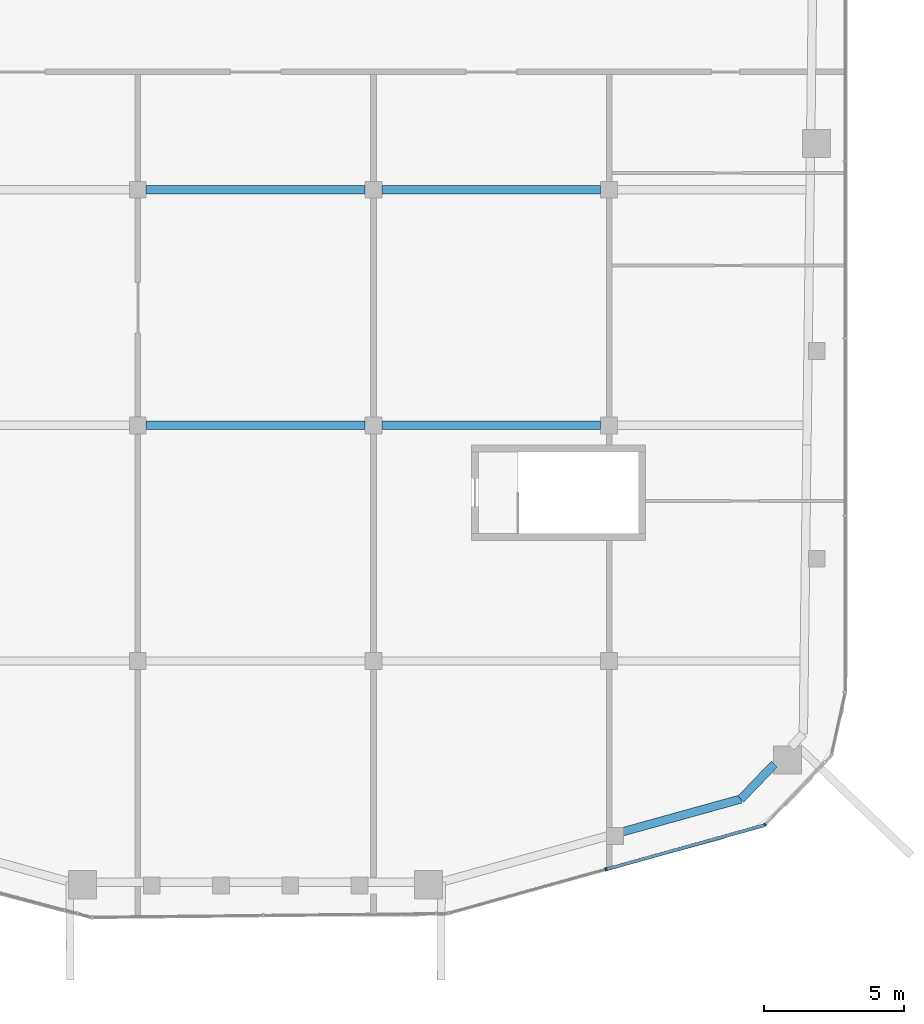
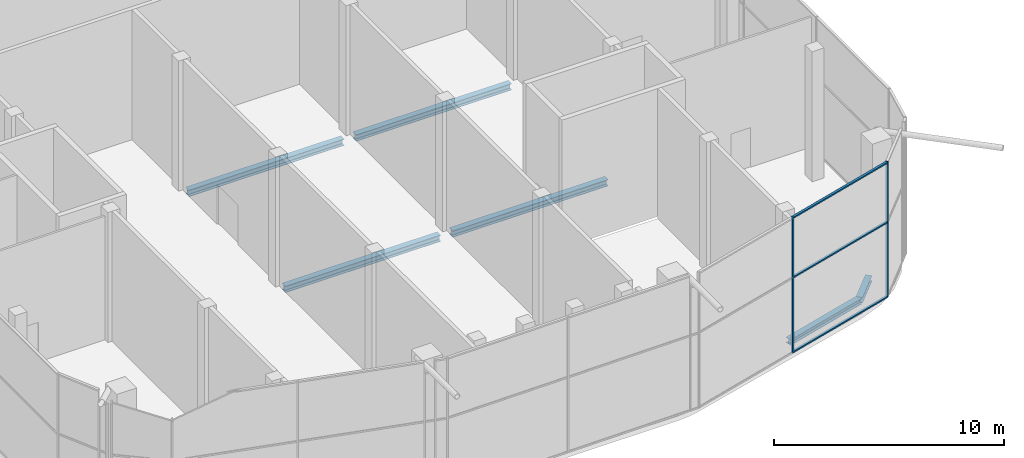
# One storey, part 5 of 23: 6 beams, 5 members, 2 elements without a shape of their own.
"""IFC4 building model written with IfcOpenShell, lengths in metres."""

from ifc_helpers import new_model, si_unit, direction, frame, origin, origin_2d, place, context, subcontext, project, spatial, rectangle, i_section, extrude, material, layer, layer_set, material_profile, profile_set, type_object, element, aggregate, save


model = new_model("IFC4")

# Units and contexts
model_context = context("Model", 3, precision=1e-05, world=origin(), true_north=direction((0.0, 1.0)))
body_context = subcontext(model_context, "Body", "Model", "MODEL_VIEW")
ifc_project = project(units=[si_unit("LENGTHUNIT", "METRE"), si_unit("AREAUNIT", "SQUARE_METRE"), si_unit("VOLUMEUNIT", "CUBIC_METRE"), si_unit("PLANEANGLEUNIT", "RADIAN"), si_unit("MASSUNIT", "GRAM", prefix="KILO")], contexts=[model_context])

# Site, building, storey
site_placement = place(None, origin())
site = spatial("IfcSite", under=ifc_project, at=site_placement, CompositionType="ELEMENT")
building_placement = place(site_placement, origin())
building = spatial("IfcBuilding", under=site, at=building_placement, Name="Marenta Gate Hotel Tower", CompositionType="ELEMENT")
storey_placement = place(building_placement, frame((0.0, 0.0, 288.5)))
storey = spatial("IfcBuildingStorey", under=building, at=storey_placement, Name="L66", CompositionType="ELEMENT", Elevation=288.5)

# Beams
ifc_material_1 = material(Name="Steel S355", Category="steel")
ifc_material_profile_1 = material_profile(ifc_material_1, i_section(OverallWidth=0.300048828125, OverallDepth=0.300048828125, WebThickness=0.010986328125, FlangeThickness=0.01904296875, FilletRadius=0.027099609375, at=origin_2d()), Name="HEB 300")
ifc_profile_set_1 = profile_set([ifc_material_profile_1], Name="Steel S355")
beam_type_1 = type_object("IfcBeamType", Name="Edge beam HEB 300", PredefinedType="SPANDREL", material=ifc_profile_set_1)
beam_1_placement = place(storey_placement, frame((18.49072265625, -28.875244140625, -0.409912109375), z_axis=(-0.692584894431, -0.721336373689, 0.0), x_axis=(0.721336373689, -0.692584894431, 0.0)))
element("IfcBeam", 1, at=beam_1_placement, inside=storey, type_object=beam_type_1, Name="L66-EB-28", PredefinedType="SPANDREL", context=body_context, shape_type="SweptSolid", body=[
    extrude(i_section(OverallWidth=0.300048828125, OverallDepth=0.300048828125, WebThickness=0.010986328125, FlangeThickness=0.01904296875, FilletRadius=0.027099609375, at=origin_2d()), origin(), (0.0, 0.0, 1.0), 1.723876953125),
])
beam_2_placement = place(storey_placement, frame((17.296875, -30.11865234375, -0.409912109375), z_axis=(-0.963619865986, -0.267276549434, 0.0), x_axis=(0.267276549434, -0.963619865986, 0.0)))
element("IfcBeam", 2, at=beam_2_placement, inside=storey, type_object=beam_type_1, Name="L66-EB-29", PredefinedType="SPANDREL", context=body_context, shape_type="SweptSolid", body=[
    extrude(i_section(OverallWidth=0.300048828125, OverallDepth=0.300048828125, WebThickness=0.010986328125, FlangeThickness=0.01904296875, FilletRadius=0.027099609375, at=origin_2d()), origin(), (0.0, 0.0, 1.0), 4.38818359375),
])
ifc_material_2 = material(Name="Steel S355", Category="steel")
ifc_material_profile_2 = material_profile(ifc_material_2, i_section(OverallWidth=0.300048828125, OverallDepth=0.340087890625, WebThickness=0.011962890625, FlangeThickness=0.021484375, FilletRadius=0.027099609375, at=origin_2d()), Name="HEB 340")
ifc_profile_set_2 = profile_set([ifc_material_profile_2], Name="Steel S355")
beam_type_2 = type_object("IfcBeamType", Name="Girder HEB 340", PredefinedType="BEAM", material=ifc_profile_set_2)
beam_3_placement = place(storey_placement, frame((-3.89990234375, -16.800048828125, -0.429931640625), z_axis=(1.0, 0.0, 0.0), x_axis=(0.0, 1.0, 0.0)))
element("IfcBeam", 3, at=beam_3_placement, inside=storey, type_object=beam_type_2, Name="L66-GD-8", PredefinedType="BEAM", context=body_context, shape_type="SweptSolid", body=[
    extrude(i_section(OverallWidth=0.300048828125, OverallDepth=0.340087890625, WebThickness=0.011962890625, FlangeThickness=0.021484375, FilletRadius=0.027099609375, at=origin_2d()), origin(), (0.0, 0.0, 1.0), 7.7998046875),
])
beam_4_placement = place(storey_placement, frame((4.5, -16.800048828125, -0.429931640625), z_axis=(1.0, 0.0, 0.0), x_axis=(0.0, 1.0, 0.0)))
element("IfcBeam", 4, at=beam_4_placement, inside=storey, type_object=beam_type_2, Name="L66-GD-9", PredefinedType="BEAM", context=body_context, shape_type="SweptSolid", body=[
    extrude(i_section(OverallWidth=0.300048828125, OverallDepth=0.340087890625, WebThickness=0.011962890625, FlangeThickness=0.021484375, FilletRadius=0.027099609375, at=origin_2d()), origin(), (0.0, 0.0, 1.0), 7.800048828125),
])
beam_5_placement = place(storey_placement, frame((-3.89990234375, -8.39990234375, -0.429931640625), z_axis=(1.0, 0.0, 0.0), x_axis=(0.0, 1.0, 0.0)))
element("IfcBeam", 5, at=beam_5_placement, inside=storey, type_object=beam_type_2, Name="L66-GD-13", PredefinedType="BEAM", context=body_context, shape_type="SweptSolid", body=[
    extrude(i_section(OverallWidth=0.300048828125, OverallDepth=0.340087890625, WebThickness=0.011962890625, FlangeThickness=0.021484375, FilletRadius=0.027099609375, at=origin_2d()), origin(), (0.0, 0.0, 1.0), 7.7998046875),
])
beam_6_placement = place(storey_placement, frame((4.5, -8.39990234375, -0.429931640625), z_axis=(1.0, 0.0, 0.0), x_axis=(0.0, 1.0, 0.0)))
element("IfcBeam", 6, at=beam_6_placement, inside=storey, type_object=beam_type_2, Name="L66-GD-14", PredefinedType="BEAM", context=body_context, shape_type="SweptSolid", body=[
    extrude(i_section(OverallWidth=0.300048828125, OverallDepth=0.340087890625, WebThickness=0.011962890625, FlangeThickness=0.021484375, FilletRadius=0.027099609375, at=origin_2d()), origin(), (0.0, 0.0, 1.0), 7.800048828125),
])

# Curtain wall, member
ifc_material_3 = material(Name="Tinted insulated glass in bronze anodised frame", Category="glass")
ifc_layer = layer(ifc_material_3, 0.1201171875)
ifc_layer_set = layer_set([ifc_layer], Name="Tinted insulated glass in bronze anodised frame")
curtain_wall_type = type_object("IfcCurtainWallType", Name="Sky restaurant glazing CW4", PredefinedType="NOTDEFINED", material=ifc_layer_set)
curtain_wall_1_placement = place(storey_placement, origin())
curtain_wall_1 = element("IfcCurtainWall", 7, at=curtain_wall_1_placement, inside=storey, type_object=curtain_wall_type, Name="CW4 run G14", PredefinedType="NOTDEFINED")
ifc_material_4 = material(Name="Bronze anodised aluminium", Category="aluminium")
ifc_material_profile_3 = material_profile(ifc_material_4, rectangle(XDim=0.1201171875, YDim=0.070068359375, at=origin_2d()), Name="Mullion CW4 70x120 bronze anodised aluminium")
ifc_profile_set_3 = profile_set([ifc_material_profile_3], Name="Bronze anodised aluminium")
member_type_1 = type_object("IfcMemberType", Name="Mullion CW4 70x120 bronze anodised aluminium", PredefinedType="MULLION", material=ifc_profile_set_3)
member_1_placement = place(storey_placement, frame((12.490234375, -32.626708984375, 0.0), z_axis=(0.0, 0.0, 1.0), x_axis=(-0.268549396065, 0.963265914415, 0.0)))
member_1 = element("IfcMember", 8, at=member_1_placement, type_object=member_type_1, Name="CW4 mullion 2", PredefinedType="MULLION", context=body_context, shape_type="SweptSolid", body=[
    extrude(rectangle(XDim=0.1201171875, YDim=0.070068359375, at=origin_2d()), origin(), (0.0, 0.0, 1.0), 7.199951171875),
])

curtain_wall_2_placement = place(storey_placement, origin())
curtain_wall_2 = element("IfcCurtainWall", 9, at=curtain_wall_2_placement, inside=storey, type_object=curtain_wall_type, Name="CW4 run G15", PredefinedType="NOTDEFINED")
member_2_placement = place(storey_placement, frame((18.156494140625, -31.028564453125, 0.0), z_axis=(0.0, 0.0, 1.0), x_axis=(-0.721354641584, 0.692565867673, 0.0)))
member_2 = element("IfcMember", 10, at=member_2_placement, type_object=member_type_1, Name="CW4 mullion 1", PredefinedType="MULLION", context=body_context, shape_type="SweptSolid", body=[
    extrude(rectangle(XDim=0.1201171875, YDim=0.070068359375, at=origin_2d()), origin(), (0.0, 0.0, 1.0), 7.199951171875),
])
aggregate(curtain_wall_2, [member_2])

# Member
ifc_material_5 = material(Name="Bronze anodised aluminium", Category="aluminium")
ifc_material_profile_4 = material_profile(ifc_material_5, rectangle(XDim=0.1201171875, YDim=0.070068359375, at=origin_2d()), Name="Transom CW4 70x120 bronze anodised aluminium")
ifc_profile_set_4 = profile_set([ifc_material_profile_4], Name="Bronze anodised aluminium")
member_type_2 = type_object("IfcMemberType", Name="Transom CW4 70x120 bronze anodised aluminium", PredefinedType="USERDEFINED", material=ifc_profile_set_4)
member_3_placement = place(storey_placement, frame((12.52392578125, -32.617431640625, 0.034912109375), z_axis=(0.963259141251, 0.268573689697, 0.0), x_axis=(-0.268573689697, 0.963259141251, 0.0)))
member_3 = element("IfcMember", 11, at=member_3_placement, type_object=member_type_2, Name="CW4 transom 2.1", ObjectType="TRANSOM", PredefinedType="USERDEFINED", context=body_context, shape_type="SweptSolid", body=[
    extrude(rectangle(XDim=0.1201171875, YDim=0.070068359375, at=origin_2d()), origin(), (0.0, 0.0, 1.0), 5.822265625),
])

member_4_placement = place(storey_placement, frame((12.52392578125, -32.617431640625, 4.0), z_axis=(0.963259141251, 0.268573689697, 0.0), x_axis=(-0.268573689697, 0.963259141251, 0.0)))
member_4 = element("IfcMember", 12, at=member_4_placement, type_object=member_type_2, Name="CW4 transom 2.2", ObjectType="TRANSOM", PredefinedType="USERDEFINED", context=body_context, shape_type="SweptSolid", body=[
    extrude(rectangle(XDim=0.1201171875, YDim=0.070068359375, at=origin_2d()), origin(), (0.0, 0.0, 1.0), 5.822265625),
])

member_5_placement = place(storey_placement, frame((12.52392578125, -32.617431640625, 7.1650390625), z_axis=(0.963259141251, 0.268573689697, 0.0), x_axis=(-0.268573689697, 0.963259141251, 0.0)))
member_5 = element("IfcMember", 13, at=member_5_placement, type_object=member_type_2, Name="CW4 transom 2.3", ObjectType="TRANSOM", PredefinedType="USERDEFINED", context=body_context, shape_type="SweptSolid", body=[
    extrude(rectangle(XDim=0.1201171875, YDim=0.070068359375, at=origin_2d()), origin(), (0.0, 0.0, 1.0), 5.822265625),
])

aggregate(curtain_wall_1, [member_1, member_3, member_4, member_5])

save(model, "model.ifc")
